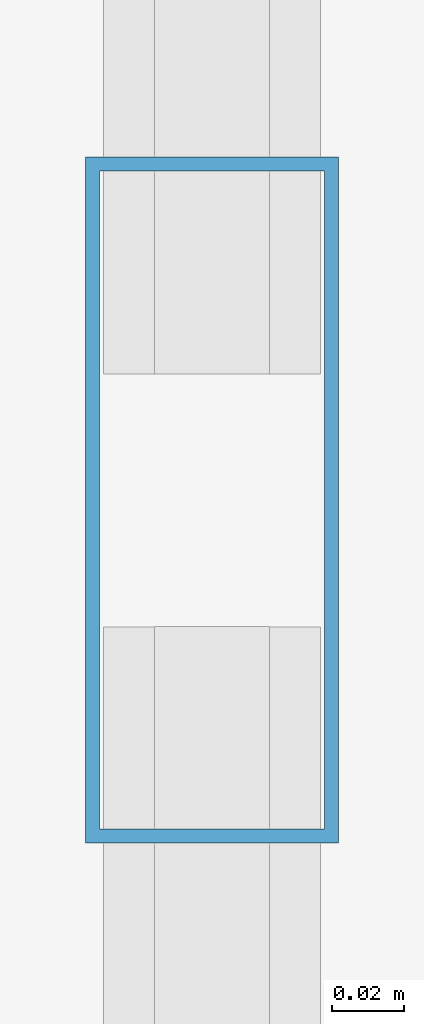
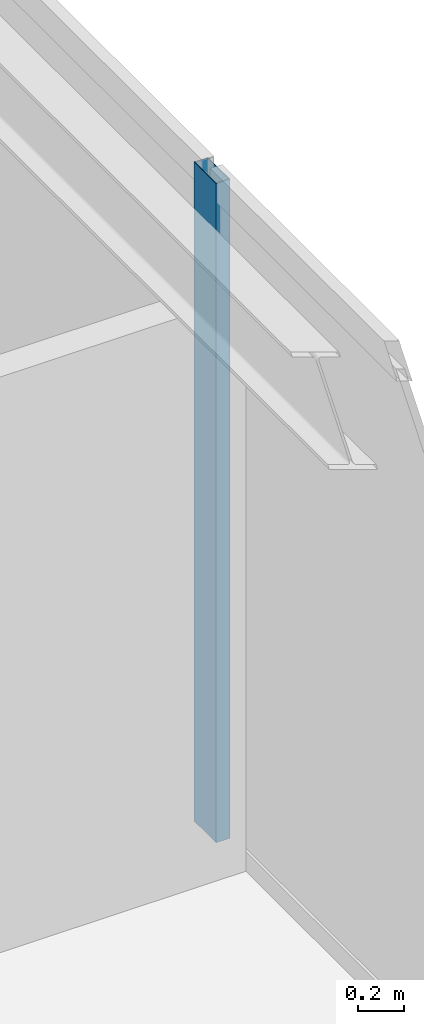
# One storey, part 18 of 33: 1 member, 1 element without a shape of its own.
"""IFC4 building model written with IfcOpenShell, lengths in metres."""

from ifc_helpers import new_model, si_unit, direction, frame, origin, origin_2d, place, context, subcontext, project, spatial, hollow_rectangle, extrude, source, transform, mapped, material, layer, layer_set, material_profile, profile_set, type_object, type_shapes, element, aggregate, save


model = new_model("IFC4")

# Units and contexts
model_context = context("Model", 3, precision=1e-05, world=origin(), true_north=direction((0.0, 1.0)))
body_context = subcontext(model_context, "Body", "Model", "MODEL_VIEW")
ifc_project = project(units=[si_unit("LENGTHUNIT", "METRE"), si_unit("AREAUNIT", "SQUARE_METRE"), si_unit("VOLUMEUNIT", "CUBIC_METRE"), si_unit("PLANEANGLEUNIT", "RADIAN"), si_unit("MASSUNIT", "GRAM", prefix="KILO")], contexts=[model_context])

# Site, building, storey
site_placement = place(None, origin())
site = spatial("IfcSite", under=ifc_project, at=site_placement, CompositionType="ELEMENT")
building_placement = place(site_placement, origin())
building = spatial("IfcBuilding", under=site, at=building_placement, Name="Varnel Quay Broadcast Tower", CompositionType="ELEMENT")
storey_placement = place(building_placement, frame((0.0, 0.0, 137.199951171875)))
storey = spatial("IfcBuildingStorey", under=building, at=storey_placement, Name="L33", CompositionType="ELEMENT", Elevation=137.199951171875)

# Curtain wall, member
ifc_material = material(Name="Anodised Bronze Aluminium 6063-T6", Category="aluminium")
ifc_layer = layer(ifc_material, 0.18994140625, Name="Anodised Bronze Aluminium 6063-T6")
ifc_layer_set = layer_set([ifc_layer], Name="Anodised Bronze Aluminium 6063-T6")
curtain_wall_type = type_object("IfcCurtainWallType", Name="CW_LowerTower", PredefinedType="NOTDEFINED", material=ifc_layer_set)
curtain_wall_placement = place(storey_placement, origin())
curtain_wall = element("IfcCurtainWall", 1, at=curtain_wall_placement, inside=storey, type_object=curtain_wall_type, Name="L33 East Unitised Curtain Wall", PredefinedType="NOTDEFINED")
ifc_material_profile = material_profile(ifc_material, hollow_rectangle(XDim=0.070068359375, YDim=0.18994140625, WallThickness=0.00390625, at=origin_2d()), Name="ALU70X190X4")
ifc_profile_set = profile_set([ifc_material_profile], Name="Anodised Bronze Aluminium 6063-T6")
member_type = type_object("IfcMemberType", Name="Mull_CWS-02", PredefinedType="MULLION", material=ifc_profile_set)
shared_shape = source(origin(), body_context, "Body", "SweptSolid", [
    extrude(hollow_rectangle(XDim=0.070068359375, YDim=0.18994140625, WallThickness=0.00390625, at=origin_2d()), origin(), (0.0, 0.0, 1.0), 3.47998046875),
])
type_shapes(member_type, [shared_shape])
member_placement = place(storey_placement, frame((63.35009765625, 19.60009765625, 0.0), z_axis=(0.0, 0.0, 1.0), x_axis=(-1.0, 0.0, 0.0)))
member = element("IfcMember", 2, at=member_placement, type_object=member_type, Name="CWS-02 mullion 2", PredefinedType="MULLION", context=body_context, shape_type="MappedRepresentation", body=[
    mapped(shared_shape, transform((0.0, 0.0, 0.0), x_axis=(1.0, 0.0, 0.0), y_axis=(0.0, 1.0, 0.0), z_axis=(0.0, 0.0, 1.0), scale=1.0)),
])
aggregate(curtain_wall, [member])

save(model, "model.ifc")
